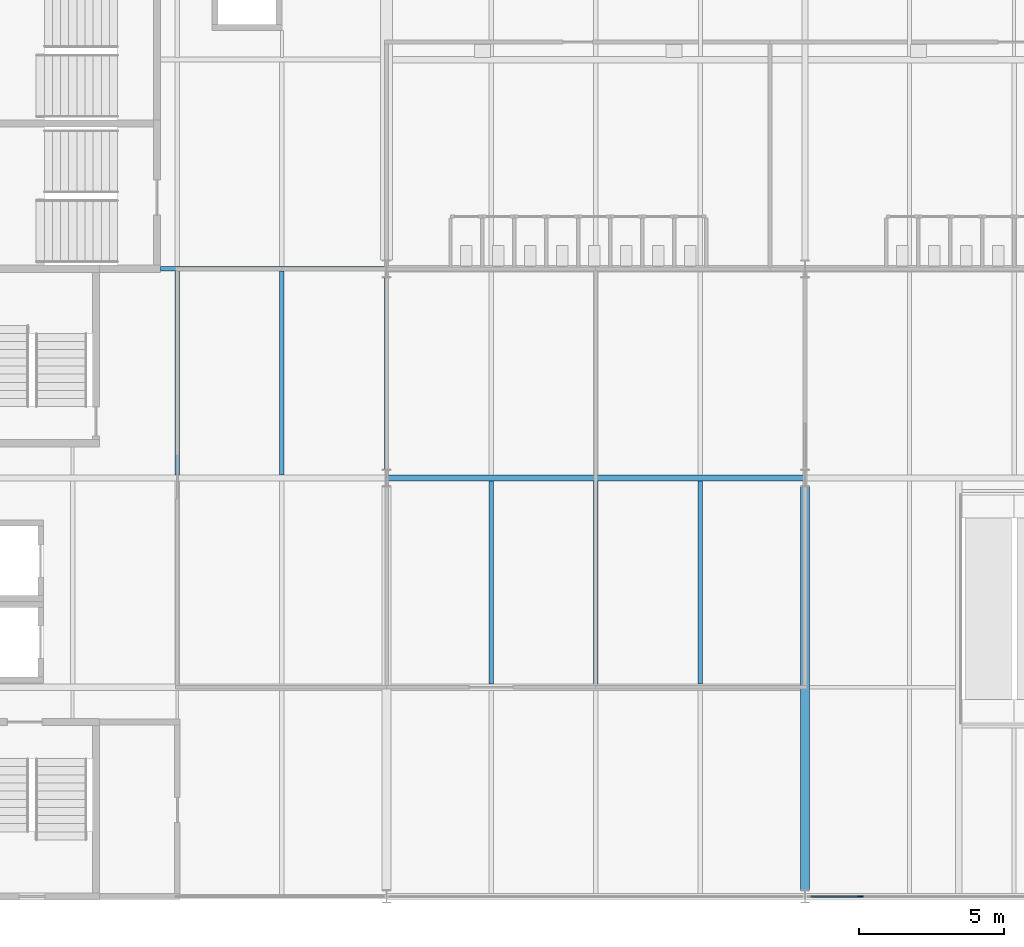
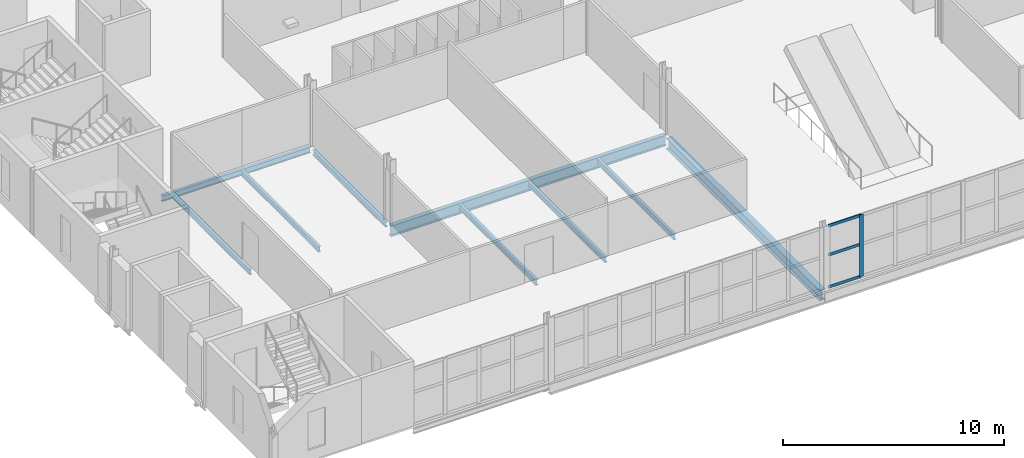
# One storey, part 28 of 124: 9 beams, 4 members, 1 element without a shape of its own.
"""IFC4 building model written with IfcOpenShell, lengths in metres."""

from ifc_helpers import new_model, si_unit, direction, frame, origin, origin_2d, place, context, subcontext, project, spatial, rectangle, i_section, extrude, material, material_profile, profile_set, type_object, element, aggregate, save


model = new_model("IFC4")

# Units and contexts
model_context = context("Model", 3, precision=1e-05, world=origin(), true_north=direction((0.0, 1.0)))
body_context = subcontext(model_context, "Body", "Model", "MODEL_VIEW")
ifc_project = project(units=[si_unit("LENGTHUNIT", "METRE"), si_unit("AREAUNIT", "SQUARE_METRE"), si_unit("VOLUMEUNIT", "CUBIC_METRE"), si_unit("PLANEANGLEUNIT", "RADIAN"), si_unit("MASSUNIT", "GRAM", prefix="KILO")], contexts=[model_context])

# Site, building, storey
site_placement = place(None, origin())
site = spatial("IfcSite", under=ifc_project, at=site_placement, CompositionType="ELEMENT")
building_placement = place(site_placement, origin())
building = spatial("IfcBuilding", under=site, at=building_placement, Name="Kupolbacken Congress Centre", CompositionType="ELEMENT")
storey_placement = place(building_placement, frame((0.0, 0.0, 10.800048828125)))
storey = spatial("IfcBuildingStorey", under=building, at=storey_placement, Name="L03", CompositionType="ELEMENT", Elevation=10.800048828125)

# Beams
ifc_material_1 = material(Name="Steel S355", Category="steel")
ifc_material_profile_1 = material_profile(ifc_material_1, i_section(OverallWidth=0.14990234375, OverallDepth=0.300048828125, WebThickness=0.007080078125, FlangeThickness=0.0107421875, FilletRadius=0.014892578125, at=origin_2d()), Name="IPE 300")
ifc_profile_set_1 = profile_set([ifc_material_profile_1], Name="Steel S355")
beam_type_1 = type_object("IfcBeamType", Name="B04 beam IPE 300", PredefinedType="BEAM", material=ifc_profile_set_1)
beam_1_placement = place(storey_placement, frame((21.60009765625, 43.5, -0.330078125), z_axis=(0.0, 1.0, 0.0), x_axis=(-1.0, 0.0, 0.0)))
element("IfcBeam", 1, at=beam_1_placement, inside=storey, type_object=beam_type_1, Name="S/floor/F/L03/G005", PredefinedType="BEAM", context=body_context, shape_type="SweptSolid", body=[
    extrude(i_section(OverallWidth=0.14990234375, OverallDepth=0.300048828125, WebThickness=0.007080078125, FlangeThickness=0.0107421875, FilletRadius=0.014892578125, at=origin_2d()), origin(), (0.0, 0.0, 1.0), 6.60009765625),
])
for number, where, z_axis, x_axis, name in (
    (2, (14.39990234375, 43.31005859375, -0.330078125), (0.0, 1.0, 0.0), (-1.0, 0.0, 0.0), "S/floor/F/L03/S045"),
    (3, (18.0, 43.31005859375, -0.330078125), (0.0, 1.0, 0.0), (-1.0, 0.0, 0.0), "S/floor/F/L03/S048"),
):
    element("IfcBeam", number, at=place(storey_placement, frame(where, z_axis=z_axis, x_axis=x_axis)), inside=storey, type_object=beam_type_1, Name=name, PredefinedType="BEAM", context=body_context, shape_type="SweptSolid", body=[
        extrude(i_section(OverallWidth=0.14990234375, OverallDepth=0.300048828125, WebThickness=0.007080078125, FlangeThickness=0.0107421875, FilletRadius=0.014892578125, at=origin_2d()), origin(), (0.0, 0.0, 1.0), 7.010009765625),
    ])
for number, where, z_axis, x_axis, name in (
    (4, (25.199951171875, 36.110107421875, -0.330078125), (0.0, 1.0, 0.0), (-1.0, 0.0, 0.0), "S/floor/F/L03/S050"),
    (5, (28.800048828125, 36.110107421875, -0.330078125), (0.0, 1.0, 0.0), (-1.0, 0.0, 0.0), "S/floor/F/L03/S053"),
    (6, (32.39990234375, 36.110107421875, -0.330078125), (0.0, 1.0, 0.0), (-1.0, 0.0, 0.0), "S/floor/F/L03/S056"),
):
    element("IfcBeam", number, at=place(storey_placement, frame(where, z_axis=z_axis, x_axis=x_axis)), inside=storey, type_object=beam_type_1, Name=name, PredefinedType="BEAM", context=body_context, shape_type="SweptSolid", body=[
        extrude(i_section(OverallWidth=0.14990234375, OverallDepth=0.300048828125, WebThickness=0.007080078125, FlangeThickness=0.0107421875, FilletRadius=0.014892578125, at=origin_2d()), origin(), (0.0, 0.0, 1.0), 6.97998046875),
    ])
ifc_material_2 = material(Name="Steel S355", Category="steel")
ifc_material_profile_2 = material_profile(ifc_material_2, i_section(OverallWidth=0.159912109375, OverallDepth=0.330078125, WebThickness=0.007568359375, FlangeThickness=0.011474609375, FilletRadius=0.01806640625, at=origin_2d()), Name="IPE 330")
ifc_profile_set_2 = profile_set([ifc_material_profile_2], Name="Steel S355")
beam_type_2 = type_object("IfcBeamType", Name="B05 beam IPE 330", PredefinedType="BEAM", material=ifc_profile_set_2)
beam_2_placement = place(storey_placement, frame((13.824951171875, 50.39990234375, -0.344970703125), z_axis=(1.0, 0.0, 0.0), x_axis=(0.0, 1.0, 0.0)))
element("IfcBeam", 7, at=beam_2_placement, inside=storey, type_object=beam_type_2, Name="S/floor/F/L03/R025", PredefinedType="BEAM", context=body_context, shape_type="SweptSolid", body=[
    extrude(i_section(OverallWidth=0.159912109375, OverallDepth=0.330078125, WebThickness=0.007568359375, FlangeThickness=0.011474609375, FilletRadius=0.01806640625, at=origin_2d()), origin(), (0.0, 0.0, 1.0), 7.767333984375),
])
ifc_material_3 = material(Name="Steel S355", Category="steel")
ifc_material_profile_3 = material_profile(ifc_material_3, i_section(OverallWidth=0.219970703125, OverallDepth=0.60009765625, WebThickness=0.011962890625, FlangeThickness=0.01904296875, FilletRadius=0.02392578125, at=origin_2d()), Name="IPE 600")
ifc_profile_set_3 = profile_set([ifc_material_profile_3], Name="Steel S355")
beam_type_3 = type_object("IfcBeamType", Name="B11 beam IPE 600", PredefinedType="BEAM", material=ifc_profile_set_3)
beam_3_placement = place(storey_placement, frame((21.607666015625, 43.199951171875, -0.47998046875), z_axis=(1.0, 0.0, 0.0), x_axis=(0.0, 1.0, 0.0)))
element("IfcBeam", 8, at=beam_3_placement, inside=storey, type_object=beam_type_3, Name="S/floor/F/L03/R021", PredefinedType="BEAM", context=body_context, shape_type="SweptSolid", body=[
    extrude(i_section(OverallWidth=0.219970703125, OverallDepth=0.60009765625, WebThickness=0.011962890625, FlangeThickness=0.01904296875, FilletRadius=0.02392578125, at=origin_2d()), origin(), (0.0, 0.0, 1.0), 14.384521484375),
])
ifc_material_4 = material(Name="Steel S355", Category="steel")
ifc_material_profile_4 = material_profile(ifc_material_4, i_section(OverallWidth=0.300048828125, OverallDepth=0.60009765625, WebThickness=0.015380859375, FlangeThickness=0.030029296875, FilletRadius=0.027099609375, at=origin_2d()), Name="HEB 600")
ifc_profile_set_4 = profile_set([ifc_material_profile_4], Name="Steel S355")
beam_type_4 = type_object("IfcBeamType", Name="B15 beam HEB 600", PredefinedType="BEAM", material=ifc_profile_set_4)
beam_4_placement = place(storey_placement, frame((36.0, 29.02490234375, -0.47998046875), z_axis=(0.0, 1.0, 0.0), x_axis=(-1.0, 0.0, 0.0)))
element("IfcBeam", 9, at=beam_4_placement, inside=storey, type_object=beam_type_4, Name="S/floor/F/L03/G006", PredefinedType="BEAM", context=body_context, shape_type="SweptSolid", body=[
    extrude(i_section(OverallWidth=0.300048828125, OverallDepth=0.60009765625, WebThickness=0.015380859375, FlangeThickness=0.030029296875, FilletRadius=0.027099609375, at=origin_2d()), origin(), (0.0, 0.0, 1.0), 13.875),
])

# Curtain wall, members
ifc_material_5 = material(Name="Aluminium mullion-transom frame with glass", Category="aluminium")
curtain_wall_type = type_object("IfcCurtainWallType", Name="CW1 curtain wall 7200x3600", PredefinedType="NOTDEFINED", material=ifc_material_5)
curtain_wall_placement = place(storey_placement, origin())
curtain_wall = element("IfcCurtainWall", 10, at=curtain_wall_placement, inside=storey, type_object=curtain_wall_type, Name="E/F/S/L03/331", PredefinedType="NOTDEFINED")
ifc_material_6 = material(Name="Aluminium alloy", Category="aluminium")
ifc_material_profile_5 = material_profile(ifc_material_6, rectangle(XDim=0.050048828125, YDim=0.199951171875, at=origin_2d()), Name="50 x 200")
ifc_profile_set_5 = profile_set([ifc_material_profile_5], Name="Aluminium alloy")
member_type_1 = type_object("IfcMemberType", Name="MU2 mullion 50x200", PredefinedType="MULLION", material=ifc_profile_set_5)
member_1_placement = place(storey_placement, frame((37.91259765625, 28.800048828125, 0.0), z_axis=(0.0, 0.0, 1.0), x_axis=(0.0, 1.0, 0.0)))
member_1 = element("IfcMember", 11, at=member_1_placement, type_object=member_type_1, Name="CW1 mullion 2", PredefinedType="MULLION", context=body_context, shape_type="SweptSolid", body=[
    extrude(rectangle(XDim=0.050048828125, YDim=0.199951171875, at=origin_2d()), origin(), (0.0, 0.0, 1.0), 3.419921875),
])
ifc_material_7 = material(Name="Aluminium alloy", Category="aluminium")
ifc_material_profile_6 = material_profile(ifc_material_7, rectangle(XDim=0.050048828125, YDim=0.14990234375, at=origin_2d()), Name="50 x 150")
ifc_profile_set_6 = profile_set([ifc_material_profile_6], Name="Aluminium alloy")
member_type_2 = type_object("IfcMemberType", Name="TR2 transom 50x150", PredefinedType="MULLION", material=ifc_profile_set_6)
member_2_placement = place(storey_placement, frame((36.199951171875, 28.800048828125, 0.02490234375), z_axis=(1.0, 0.0, 0.0), x_axis=(0.0, 1.0, 0.0)))
member_2 = element("IfcMember", 12, at=member_2_placement, type_object=member_type_2, Name="CW1 transom 1.1", PredefinedType="MULLION", context=body_context, shape_type="SweptSolid", body=[
    extrude(rectangle(XDim=0.050048828125, YDim=0.14990234375, at=origin_2d()), origin(), (0.0, 0.0, 1.0), 1.6875),
])
member_3_placement = place(storey_placement, frame((36.199951171875, 28.800048828125, 1.800048828125), z_axis=(1.0, 0.0, 0.0), x_axis=(0.0, 1.0, 0.0)))
member_3 = element("IfcMember", 13, at=member_3_placement, type_object=member_type_2, Name="CW1 transom 1.2", PredefinedType="MULLION", context=body_context, shape_type="SweptSolid", body=[
    extrude(rectangle(XDim=0.050048828125, YDim=0.14990234375, at=origin_2d()), origin(), (0.0, 0.0, 1.0), 1.6875),
])
member_4_placement = place(storey_placement, frame((36.199951171875, 28.800048828125, 3.39501953125), z_axis=(1.0, 0.0, 0.0), x_axis=(0.0, 1.0, 0.0)))
member_4 = element("IfcMember", 14, at=member_4_placement, type_object=member_type_2, Name="CW1 transom 1.3", PredefinedType="MULLION", context=body_context, shape_type="SweptSolid", body=[
    extrude(rectangle(XDim=0.050048828125, YDim=0.14990234375, at=origin_2d()), origin(), (0.0, 0.0, 1.0), 1.6875),
])
aggregate(curtain_wall, [member_1, member_2, member_3, member_4])

save(model, "model.ifc")
